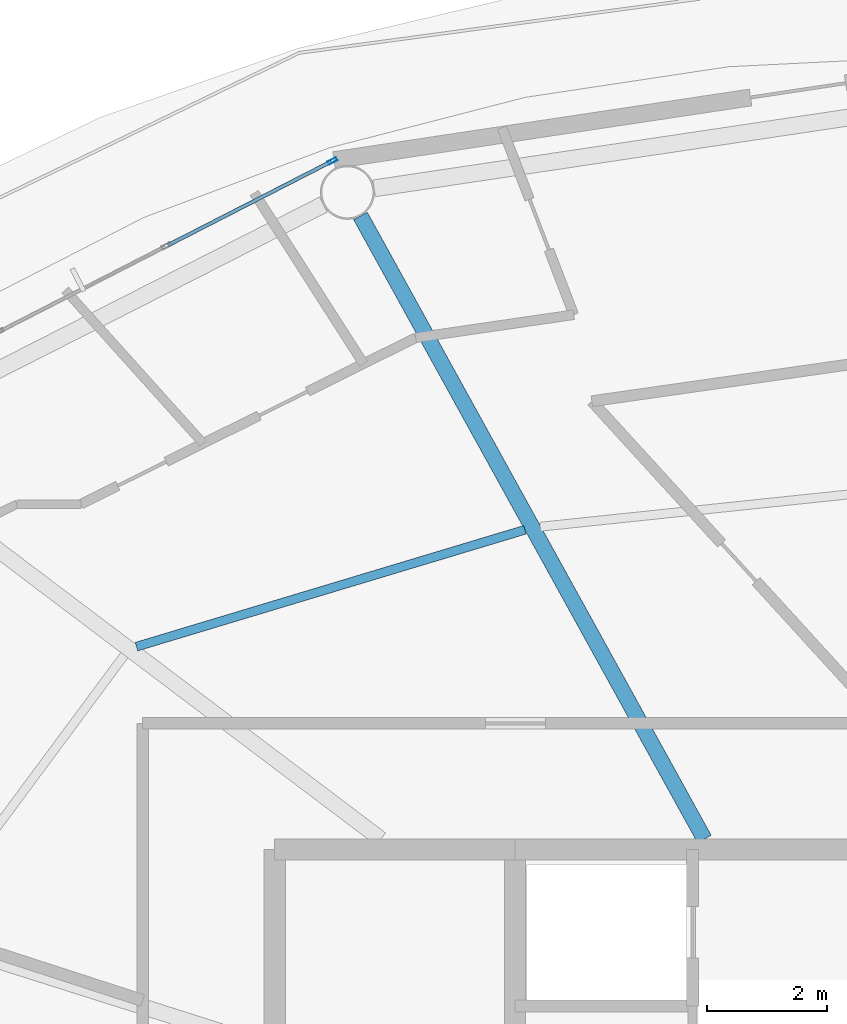
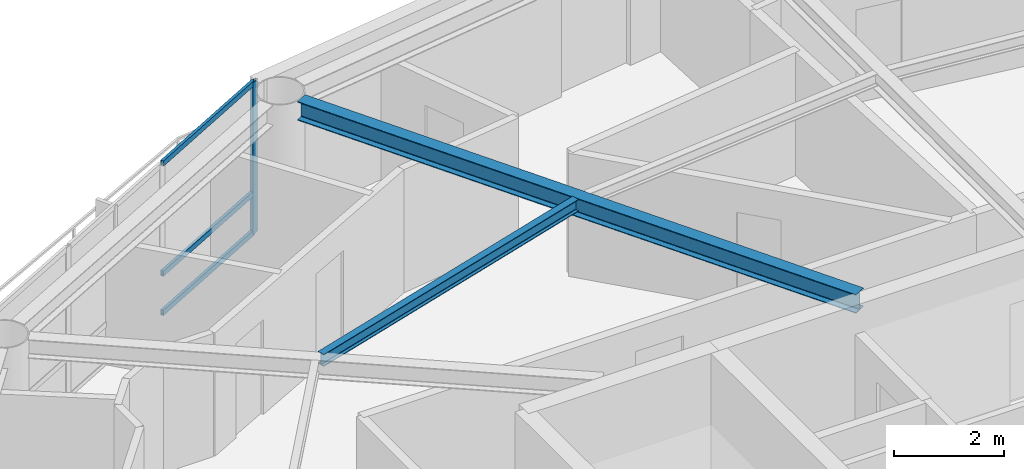
# One storey, part 9 of 22: 4 members, 2 beams, 1 element without a shape of its own.
"""IFC4 building model written with IfcOpenShell, lengths in metres."""

from ifc_helpers import new_model, si_unit, direction, frame, origin, origin_2d, place, context, subcontext, project, spatial, hollow_rectangle, i_section, extrude, material, layer, layer_set, material_profile, profile_set, type_object, element, aggregate, save


model = new_model("IFC4")

# Units and contexts
model_context = context("Model", 3, precision=1e-05, world=origin(), true_north=direction((0.0, 1.0)))
body_context = subcontext(model_context, "Body", "Model", "MODEL_VIEW")
ifc_project = project(units=[si_unit("LENGTHUNIT", "METRE"), si_unit("AREAUNIT", "SQUARE_METRE"), si_unit("VOLUMEUNIT", "CUBIC_METRE"), si_unit("PLANEANGLEUNIT", "RADIAN"), si_unit("MASSUNIT", "GRAM", prefix="KILO")], contexts=[model_context])

# Site, building, storey
site_placement = place(None, origin())
site = spatial("IfcSite", under=ifc_project, at=site_placement, CompositionType="ELEMENT")
building_placement = place(site_placement, origin())
building = spatial("IfcBuilding", under=site, at=building_placement, Name="Sarneth Arch Tower", CompositionType="ELEMENT")
storey_placement = place(building_placement, frame((0.0, 0.0, 291.0)))
storey = spatial("IfcBuildingStorey", under=building, at=storey_placement, Name="L75", CompositionType="ELEMENT", Elevation=291.0)

# Beams
ifc_material_1 = material(Name="Steel S355", Category="steel")
ifc_material_profile_1 = material_profile(ifc_material_1, i_section(OverallWidth=0.14794921875, OverallDepth=0.26611328125, WebThickness=0.007568359375, FlangeThickness=0.012939453125, FilletRadius=0.012939453125, at=origin_2d()), Name="W250x44.8")
ifc_profile_set_1 = profile_set([ifc_material_profile_1], Name="Steel S355")
beam_type_1 = type_object("IfcBeamType", Name="BM-JOIST-250", PredefinedType="JOIST", material=ifc_profile_set_1)
beam_1_placement = place(storey_placement, frame((41.163818359375, 54.122314453125, 3.237060546875), z_axis=(-0.95760703602, -0.288077705776, 0.0), x_axis=(0.288077705776, -0.95760703602, 0.0)))
element("IfcBeam", 1, at=beam_1_placement, inside=storey, type_object=beam_type_1, Name="L75 Secondary floor joist 06", PredefinedType="JOIST", context=body_context, shape_type="SweptSolid", body=[
    extrude(i_section(OverallWidth=0.14794921875, OverallDepth=0.26611328125, WebThickness=0.007568359375, FlangeThickness=0.012939453125, FilletRadius=0.012939453125, at=origin_2d()), origin(), (0.0, 0.0, 1.0), 6.7509765625),
])
ifc_material_2 = material(Name="Steel S355", Category="steel")
ifc_material_profile_2 = material_profile(ifc_material_2, i_section(OverallWidth=0.260009765625, OverallDepth=0.4150390625, WebThickness=0.010009765625, FlangeThickness=0.016845703125, FilletRadius=0.01611328125, at=origin_2d()), Name="W410x100")
ifc_profile_set_2 = profile_set([ifc_material_profile_2], Name="Steel S355")
beam_type_2 = type_object("IfcBeamType", Name="BM-RAD-410A", PredefinedType="BEAM", material=ifc_profile_set_2)
beam_2_placement = place(storey_placement, frame((44.150146484375, 48.97509765625, 3.16259765625), z_axis=(-0.483229367873, 0.875493790969, 0.0), x_axis=(-0.875493790969, -0.483229367873, 0.0)))
element("IfcBeam", 2, at=beam_2_placement, inside=storey, type_object=beam_type_2, Name="L75 Radial floor girder 06", PredefinedType="BEAM", context=body_context, shape_type="SweptSolid", body=[
    extrude(i_section(OverallWidth=0.260009765625, OverallDepth=0.4150390625, WebThickness=0.010009765625, FlangeThickness=0.016845703125, FilletRadius=0.01611328125, at=origin_2d()), origin(), (0.0, 0.0, 1.0), 11.843994140625),
])

# Curtain wall, members
ifc_material_3 = material(Name="Anodised aluminium Type AA25 and solar-control low-e laminated IGU", Category="aluminium")
ifc_layer = layer(ifc_material_3, 0.179931640625)
ifc_layer_set = layer_set([ifc_layer], Name="Anodised aluminium Type AA25 and solar-control low-e laminated IGU")
curtain_wall_type = type_object("IfcCurtainWallType", Name="CW-RES-HIGH", PredefinedType="NOTDEFINED", material=ifc_layer_set)
curtain_wall_placement = place(storey_placement, origin())
curtain_wall = element("IfcCurtainWall", 3, at=curtain_wall_placement, inside=storey, type_object=curtain_wall_type, Name="L75 Unitised curtain wall facet 06", PredefinedType="NOTDEFINED")
ifc_material_4 = material(Name="Anodised Aluminium 6063-T6", Category="aluminium")
ifc_material_profile_3 = material_profile(ifc_material_4, hollow_rectangle(XDim=0.06005859375, YDim=0.159912109375, WallThickness=0.00390625, at=origin_2d()), Name="AL-MULL-160x60x4")
ifc_profile_set_3 = profile_set([ifc_material_profile_3], Name="Anodised Aluminium 6063-T6")
member_type_1 = type_object("IfcMemberType", Name="CW-MULLION", PredefinedType="MULLION", material=ifc_profile_set_3)
member_1_placement = place(storey_placement, frame((37.960693359375, 60.2607421875, 0.0), z_axis=(0.0, 0.0, 1.0), x_axis=(0.455941901753, -0.890009540525, 0.0)))
member_1 = element("IfcMember", 4, at=member_1_placement, type_object=member_type_1, Name="CW-SYS-6 mullion 1", PredefinedType="MULLION", context=body_context, shape_type="SweptSolid", body=[
    extrude(hollow_rectangle(XDim=0.06005859375, YDim=0.159912109375, WallThickness=0.00390625, at=origin_2d()), origin(), (0.0, 0.0, 1.0), 3.3701171875),
])
ifc_material_5 = material(Name="Anodised Aluminium 6063-T6", Category="aluminium")
ifc_material_profile_4 = material_profile(ifc_material_5, hollow_rectangle(XDim=0.06005859375, YDim=0.1201171875, WallThickness=0.00390625, at=origin_2d()), Name="AL-TRAN-120x60x4")
ifc_profile_set_4 = profile_set([ifc_material_profile_4], Name="Anodised Aluminium 6063-T6")
member_type_2 = type_object("IfcMemberType", Name="CW-TRANSOM", PredefinedType="USERDEFINED", material=ifc_profile_set_4)
member_2_placement = place(storey_placement, frame((37.933837890625, 60.2470703125, 0.030029296875), z_axis=(-0.889973523166, -0.456012201662, 0.0), x_axis=(0.456012201662, -0.889973523166, 0.0)))
member_2 = element("IfcMember", 5, at=member_2_placement, type_object=member_type_2, Name="CW-SYS-6 transom 1.1", ObjectType="TRANSOM", PredefinedType="USERDEFINED", context=body_context, shape_type="SweptSolid", body=[
    extrude(hollow_rectangle(XDim=0.06005859375, YDim=0.1201171875, WallThickness=0.00390625, at=origin_2d()), origin(), (0.0, 0.0, 1.0), 3.044677734375),
])
member_3_placement = place(storey_placement, frame((37.933837890625, 60.2470703125, 0.89990234375), z_axis=(-0.889973523166, -0.456012201662, 0.0), x_axis=(0.456012201662, -0.889973523166, 0.0)))
member_3 = element("IfcMember", 6, at=member_3_placement, type_object=member_type_2, Name="CW-SYS-6 transom 1.2", ObjectType="TRANSOM", PredefinedType="USERDEFINED", context=body_context, shape_type="SweptSolid", body=[
    extrude(hollow_rectangle(XDim=0.06005859375, YDim=0.1201171875, WallThickness=0.00390625, at=origin_2d()), origin(), (0.0, 0.0, 1.0), 3.044677734375),
])
member_4_placement = place(storey_placement, frame((37.933837890625, 60.2470703125, 3.340087890625), z_axis=(-0.889973523166, -0.456012201662, 0.0), x_axis=(0.456012201662, -0.889973523166, 0.0)))
member_4 = element("IfcMember", 7, at=member_4_placement, type_object=member_type_2, Name="CW-SYS-6 transom 1.3", ObjectType="TRANSOM", PredefinedType="USERDEFINED", context=body_context, shape_type="SweptSolid", body=[
    extrude(hollow_rectangle(XDim=0.06005859375, YDim=0.1201171875, WallThickness=0.00390625, at=origin_2d()), origin(), (0.0, 0.0, 1.0), 3.044677734375),
])
aggregate(curtain_wall, [member_1, member_2, member_3, member_4])

save(model, "model.ifc")
